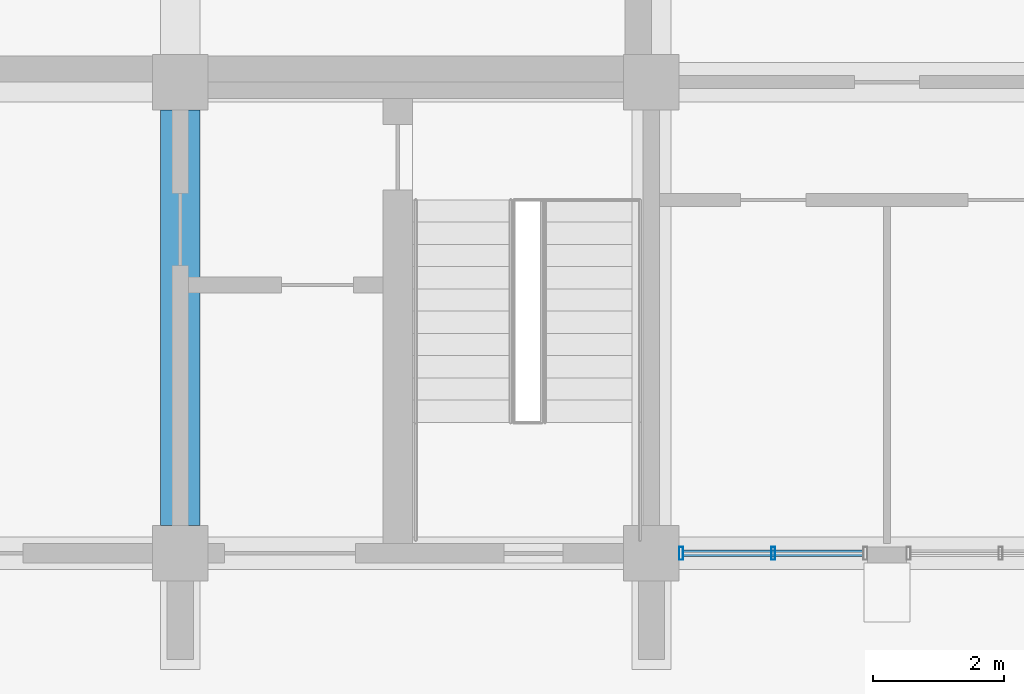
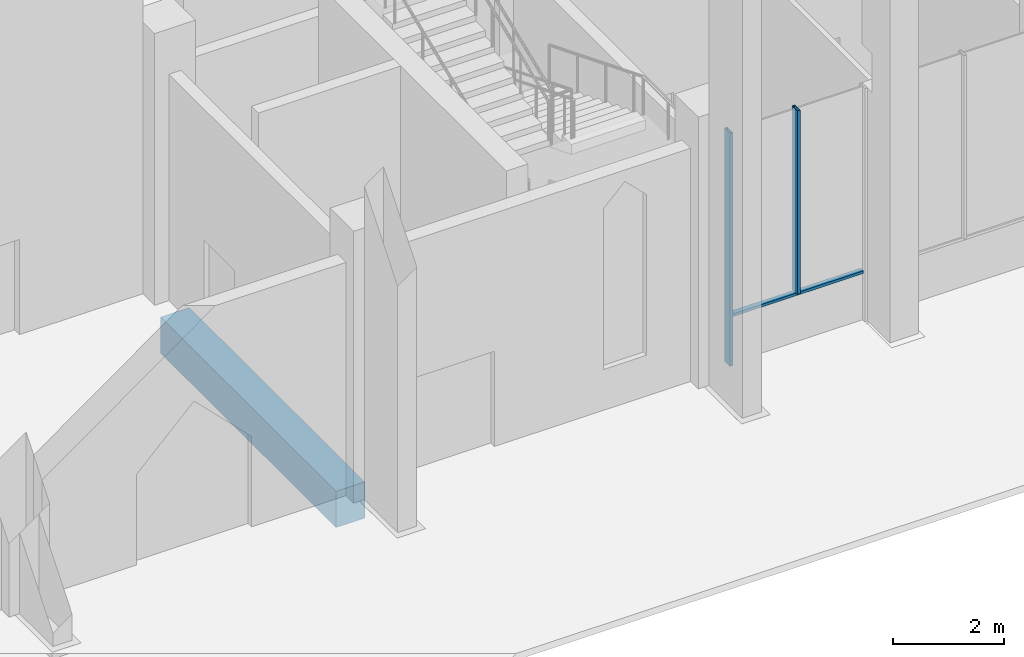
# One storey, part 14 of 50: 3 members, 1 beam, 1 element without a shape of its own.
"""IFC4 building model written with IfcOpenShell, lengths in metres."""

from ifc_helpers import new_model, si_unit, direction, frame, origin, origin_2d, place, context, subcontext, project, spatial, rectangle, hollow_rectangle, extrude, material, material_profile, profile_set, type_object, element, aggregate, save


model = new_model("IFC4")

# Units and contexts
model_context = context("Model", 3, precision=1e-05, world=origin(), true_north=direction((0.0, 1.0)))
body_context = subcontext(model_context, "Body", "Model", "MODEL_VIEW")
ifc_project = project(units=[si_unit("LENGTHUNIT", "METRE"), si_unit("AREAUNIT", "SQUARE_METRE"), si_unit("VOLUMEUNIT", "CUBIC_METRE"), si_unit("PLANEANGLEUNIT", "RADIAN"), si_unit("MASSUNIT", "GRAM", prefix="KILO")], contexts=[model_context])

# Site, building, storey
site_placement = place(None, origin())
site = spatial("IfcSite", under=ifc_project, at=site_placement, CompositionType="ELEMENT")
building_placement = place(site_placement, origin())
building = spatial("IfcBuilding", under=site, at=building_placement, Name="Silangan Lancet Faculty of Sciences", CompositionType="ELEMENT")
storey_placement = place(building_placement, origin())
storey = spatial("IfcBuildingStorey", under=building, at=storey_placement, Name="L00", CompositionType="ELEMENT", Elevation=0.0)

# Beam
ifc_material_1 = material(Name="Concrete C40/50", Category="concrete")
ifc_material_profile_1 = material_profile(ifc_material_1, rectangle(XDim=0.60009765625, YDim=0.800048828125, at=origin_2d()), Name="RC 600x800")
ifc_profile_set_1 = profile_set([ifc_material_profile_1], Name="Concrete C40/50")
beam_type = type_object("IfcBeamType", Name="BEAM RC 600x800", PredefinedType="BEAM", material=ifc_profile_set_1)
beam_placement = place(storey_placement, frame((64.800048828125, 0.425048828125, -0.699951171875), z_axis=(0.0, 1.0, 0.0), x_axis=(-1.0, 0.0, 0.0)))
element("IfcBeam", 1, at=beam_placement, inside=storey, type_object=beam_type, Name="BM-L00-10A-10B", PredefinedType="BEAM", context=body_context, shape_type="SweptSolid", body=[
    extrude(rectangle(XDim=0.60009765625, YDim=0.800048828125, at=origin_2d()), origin(), (0.0, 0.0, 1.0), 6.349853515625),
])

# Curtain wall, members
ifc_material_2 = material(Name="Aluminium framed curtain wall with insulated glass", Category="aluminium")
curtain_wall_type = type_object("IfcCurtainWallType", Name="CW1 Commons and east block glazing", PredefinedType="NOTDEFINED", material=ifc_material_2)
curtain_wall_placement = place(storey_placement, origin())
curtain_wall = element("IfcCurtainWall", 2, at=curtain_wall_placement, inside=storey, type_object=curtain_wall_type, Name="CW1 East block south L00 bay 1", PredefinedType="NOTDEFINED")
ifc_material_3 = material(Name="Aluminium 6063-T6 extrusion", Category="aluminium")
ifc_material_profile_2 = material_profile(ifc_material_3, hollow_rectangle(XDim=0.06005859375, YDim=0.199951171875, WallThickness=0.00390625, at=origin_2d()), Name="AL BOX 60x200x4")
ifc_profile_set_2 = profile_set([ifc_material_profile_2], Name="Aluminium 6063-T6 extrusion")
member_type_1 = type_object("IfcMemberType", Name="CM1 Mullion 60x200", PredefinedType="MULLION", material=ifc_profile_set_2)
member_1_placement = place(storey_placement, frame((72.455078125, 0.0, 0.0), z_axis=(0.0, 0.0, 1.0), x_axis=(1.0, 0.0, 0.0)))
member_1 = element("IfcMember", 3, at=member_1_placement, type_object=member_type_1, Name="CW1 East block south L00 bay 1 mullion 1", PredefinedType="MULLION", context=body_context, shape_type="SweptSolid", body=[
    extrude(hollow_rectangle(XDim=0.06005859375, YDim=0.199951171875, WallThickness=0.00390625, at=origin_2d()), origin(), (0.0, 0.0, 1.0), 5.14990234375),
])
member_2_placement = place(storey_placement, frame((73.862548828125, 0.0, 1.10009765625), z_axis=(0.0, 0.0, 1.0), x_axis=(1.0, 0.0, 0.0)))
member_2 = element("IfcMember", 4, at=member_2_placement, type_object=member_type_1, Name="CW1 East block south L00 bay 1 mullion 3", PredefinedType="MULLION", context=body_context, shape_type="SweptSolid", body=[
    extrude(hollow_rectangle(XDim=0.06005859375, YDim=0.199951171875, WallThickness=0.00390625, at=origin_2d()), origin(), (0.0, 0.0, 1.0), 4.0498046875),
])
ifc_material_4 = material(Name="Aluminium 6063-T6 extrusion", Category="aluminium")
ifc_material_profile_3 = material_profile(ifc_material_4, hollow_rectangle(XDim=0.10009765625, YDim=0.06005859375, WallThickness=0.0029296875, at=origin_2d()), Name="AL BOX 100x60x3")
ifc_profile_set_3 = profile_set([ifc_material_profile_3], Name="Aluminium 6063-T6 extrusion")
member_type_2 = type_object("IfcMemberType", Name="CT1 Transom 100x60", PredefinedType="USERDEFINED", material=ifc_profile_set_3)
member_3_placement = place(storey_placement, frame((72.485107421875, 0.0, 1.070068359375), z_axis=(1.0, 0.0, 0.0), x_axis=(0.0, 1.0, 0.0)))
member_3 = element("IfcMember", 5, at=member_3_placement, type_object=member_type_2, Name="CW1 East block south L00 bay 1 transom 1", ObjectType="TRANSOM", PredefinedType="USERDEFINED", context=body_context, shape_type="SweptSolid", body=[
    extrude(hollow_rectangle(XDim=0.10009765625, YDim=0.06005859375, WallThickness=0.0029296875, at=origin_2d()), origin(), (0.0, 0.0, 1.0), 2.7548828125),
])
aggregate(curtain_wall, [member_1, member_2, member_3])

save(model, "model.ifc")
